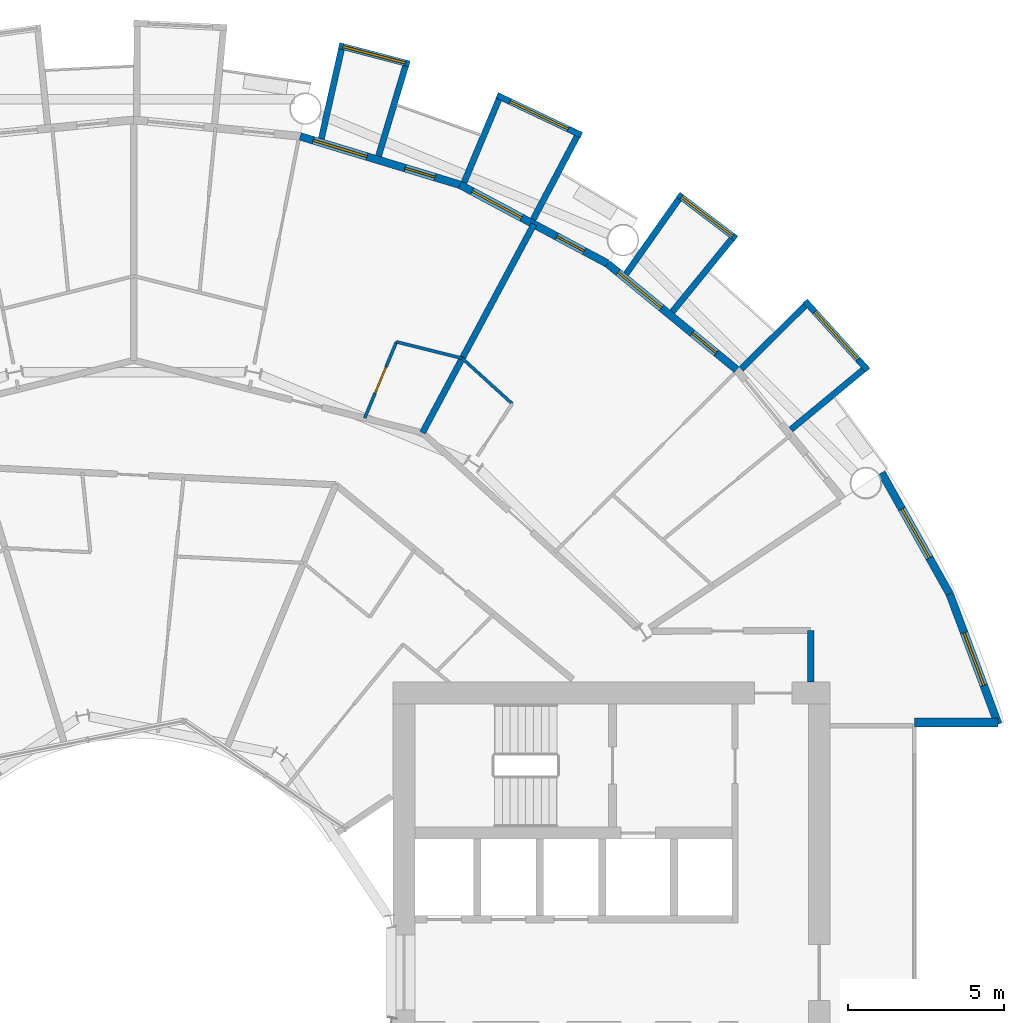
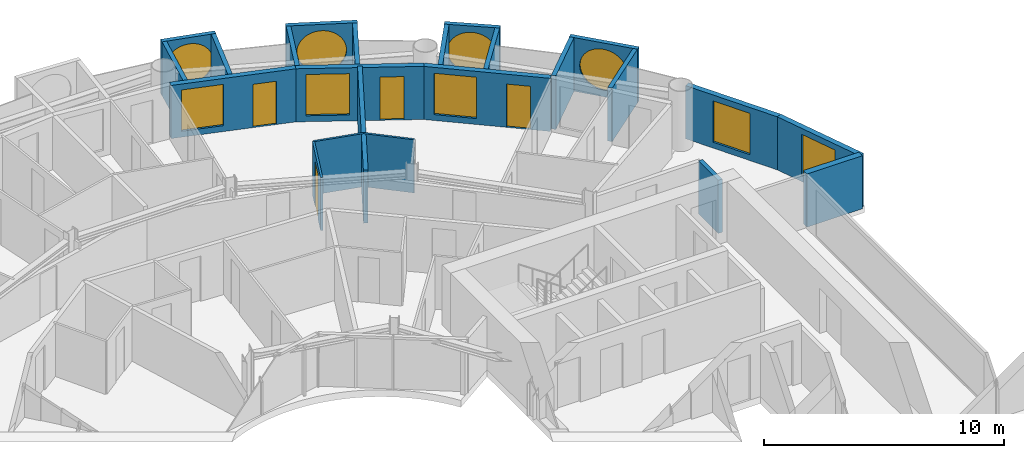
# One storey, part 22 of 26: 23 walls, 9 windows, 4 doors, 13 openings.
"""IFC4 building model written with IfcOpenShell, lengths in metres."""

import ifcopenshell
import ifcopenshell.guid

model = None  # the IFC model being written
_history = None  # IfcOwnerHistory: only IFC2X3 demands one
_inside = {}  # id of a spatial element -> (the spatial element, [elements in it])
_under = {}  # id of a project, library or spatial element -> (it, [spatial elements below it])
_declared = {}  # id of a project -> (the project, [libraries it declares])
_typed = {}  # id of a type object -> (the type object, [elements of that type])
_made_of = {}  # id of a material, layer set ... -> (it, [elements and type objects made of it])


def new_model(schema):
    """Start an empty IFC model of exactly this schema.

    Asked for "IFC4X3", IfcOpenShell would pick the latest addendum, in which some entities
    have other attributes; the version numbers below select the first issue.
    IFC2X3 requires an IfcOwnerHistory on every rooted entity: one is made here for all.
    """
    global model, _history
    if schema == "IFC4X3":
        model = ifcopenshell.file(schema_version=(4, 3, 0, 0))
    else:
        model = ifcopenshell.file(schema=schema)
    _inside.clear()
    _under.clear()
    _declared.clear()
    _typed.clear()
    _made_of.clear()
    _history = None
    if model.schema == "IFC2X3":
        org = make("IfcOrganization", Name="unknown")
        user = make(
            "IfcPersonAndOrganization",
            ThePerson=make("IfcPerson", FamilyName="unknown"),
            TheOrganization=org,
        )
        app = make(
            "IfcApplication",
            ApplicationDeveloper=org,
            Version="unknown",
            ApplicationFullName="unknown",
            ApplicationIdentifier="unknown",
        )
        _history = make(
            "IfcOwnerHistory",
            OwningUser=user,
            OwningApplication=app,
            ChangeAction="ADDED",
            CreationDate=0,
        )
    return model


def make(cls, **values):
    """One entity of the class cls with the attributes given. An attribute that is None is left unset."""
    return model.create_entity(
        cls, **{name: value for name, value in values.items() if value is not None}
    )


def rooted(cls, **values):
    """An entity with a GlobalId (a new one), such as an element, a storey or a relation."""
    return make(cls, GlobalId=ifcopenshell.guid.new(), OwnerHistory=_history, **values)


def si_unit(unit_type, name, prefix=None):
    """IfcSIUnit, for example si_unit("LENGTHUNIT", "METRE", prefix="MILLI")."""
    return make("IfcSIUnit", UnitType=unit_type, Prefix=prefix, Name=name)


def assignment(units):
    """IfcUnitAssignment: the units of a project."""
    return None if units is None else make("IfcUnitAssignment", Units=units)


def point(xyz):
    """IfcCartesianPoint."""
    return None if xyz is None else make("IfcCartesianPoint", Coordinates=xyz)


def direction(xyz):
    """IfcDirection."""
    return None if xyz is None else make("IfcDirection", DirectionRatios=xyz)


def frame(location, z_axis=None, x_axis=None):
    """IfcAxis2Placement3D, a coordinate frame: its origin and axes. An axis left out is left unset."""
    return make(
        "IfcAxis2Placement3D",
        Location=point(location),
        Axis=direction(z_axis),
        RefDirection=direction(x_axis),
    )


def frame_2d(location, x_axis=None):
    """IfcAxis2Placement2D, a coordinate frame in the plane: its origin and x axis."""
    return make(
        "IfcAxis2Placement2D", Location=point(location), RefDirection=direction(x_axis)
    )


def origin():
    """The frame at (0, 0, 0) with its axes left unset."""
    return frame((0.0, 0.0, 0.0))


def place(relative_to, where):
    """IfcLocalPlacement: puts the frame where relative to a parent placement (None: the world)."""
    return make(
        "IfcLocalPlacement", PlacementRelTo=relative_to, RelativePlacement=where
    )


def context(
    kind, dimensions, precision=None, world=None, true_north=None, identifier=None
):
    """IfcGeometricRepresentationContext, for example the 3D "Model" context."""
    return make(
        "IfcGeometricRepresentationContext",
        ContextIdentifier=identifier,
        ContextType=kind,
        CoordinateSpaceDimension=dimensions,
        Precision=precision,
        WorldCoordinateSystem=world,
        TrueNorth=true_north,
    )


def subcontext(parent, identifier, kind, view, scale=None):
    """IfcGeometricRepresentationSubContext, for example "Body" below "Model"."""
    return make(
        "IfcGeometricRepresentationSubContext",
        ContextIdentifier=identifier,
        ContextType=kind,
        ParentContext=parent,
        TargetScale=scale,
        TargetView=view,
    )


def project(units=None, contexts=None):
    """IfcProject with its units and contexts."""
    return rooted(
        "IfcProject",
        Name="project",
        RepresentationContexts=contexts,
        UnitsInContext=assignment(units),
    )


def spatial(cls, under=None, at=None, **own):
    """A site, building, storey or space (cls), placed at a placement, below another one or the project."""
    s = rooted(cls, ObjectPlacement=at, **own)
    if under is not None:
        _under.setdefault(under.id(), (under, []))[1].append(s)
    return s


def profile(cls, at=None, kind="AREA", **sizes):
    """A parametric profile (cls). Its sizes go by their IFC names, for example OverallWidth=200.0."""
    return make(cls, ProfileType=kind, Position=at, **sizes)


def rectangle(**sizes):
    """IfcRectangleProfileDef."""
    return profile("IfcRectangleProfileDef", **sizes)


def circle(**sizes):
    """IfcCircleProfileDef."""
    return profile("IfcCircleProfileDef", **sizes)


def extrude(swept, where, along, depth):
    """IfcExtrudedAreaSolid: the profile swept, set in the frame where, extruded along a direction by depth."""
    return make(
        "IfcExtrudedAreaSolid",
        SweptArea=swept,
        Position=where,
        ExtrudedDirection=direction(along),
        Depth=depth,
    )


def shape(context_of_items, identifier, shape_type, items):
    """IfcShapeRepresentation: the items that make up one representation, for example the "Body"."""
    return make(
        "IfcShapeRepresentation",
        ContextOfItems=context_of_items,
        RepresentationIdentifier=identifier,
        RepresentationType=shape_type,
        Items=items,
    )


def material(Name=None, Category=None):
    """IfcMaterial."""
    return make("IfcMaterial", Name=Name, Category=Category)


def layer(
    of_material, thickness, ventilated=None, Name=None, Category=None, Priority=None
):
    """IfcMaterialLayer: one layer of a wall or slab, of a material (None: an air gap)."""
    return make(
        "IfcMaterialLayer",
        Material=of_material,
        LayerThickness=thickness,
        IsVentilated=ventilated,
        Name=Name,
        Category=Category,
        Priority=Priority,
    )


def layer_set(layers, Name=None):
    """IfcMaterialLayerSet."""
    return make("IfcMaterialLayerSet", MaterialLayers=layers, LayerSetName=Name)


def made_of(thing, what):
    """Note that an element or type object is made of a material, layer set ...; save() writes the relation."""
    if what is not None:
        _made_of.setdefault(what.id(), (what, []))[1].append(thing)
    return thing


def type_object(cls, material=None, **own):
    """A type object (cls), such as IfcWallType, which elements share."""
    return made_of(rooted(cls, **own), material)


def element(
    cls,
    number,
    at=None,
    inside=None,
    cuts=None,
    type_object=None,
    material=None,
    context=None,
    identifier="Body",
    shape_type=None,
    held_by="IfcProductDefinitionShape",
    body=None,
    shapes=None,
    **own,
):
    """One element of the class cls, such as IfcWall. Its Tag is "e" and its number.

    at: its placement. inside: the storey or other place that contains it. cuts: it is an
    opening in that element (IfcRelVoidsElement). A single representation is given by context,
    identifier, shape_type and body (its items); several are given by shapes. held_by: the class
    of the entity that holds the representations. save() writes the other relations.
    """
    e = rooted(cls, Tag="e%d" % number, ObjectPlacement=at, **own)
    if body is not None:
        shapes = [shape(context, identifier, shape_type, body)]
    if shapes is not None:
        e.Representation = make(held_by, Representations=shapes)
    if inside is not None:
        _inside.setdefault(inside.id(), (inside, []))[1].append(e)
    if cuts is not None:
        rooted(
            "IfcRelVoidsElement", RelatingBuildingElement=cuts, RelatedOpeningElement=e
        )
    if type_object is not None:
        _typed.setdefault(type_object.id(), (type_object, []))[1].append(e)
    return made_of(e, material)


def fill(opening, filler):
    """IfcRelFillsElement: the door or window that sits in an opening."""
    return rooted(
        "IfcRelFillsElement",
        RelatingOpeningElement=opening,
        RelatedBuildingElement=filler,
    )


def aggregate(whole, parts):
    """IfcRelAggregates: a whole, such as a stair, and the parts it consists of."""
    return rooted("IfcRelAggregates", RelatingObject=whole, RelatedObjects=parts)


def save(model, path):
    """Write the relations noted so far, then the file.

    IfcRelAggregates (storeys below a building ...), IfcRelContainedInSpatialStructure (elements
    in a storey), IfcRelDefinesByType, IfcRelAssociatesMaterial and IfcRelDeclares: one each for
    every whole, place, type object, material and project.
    """
    for whole, parts in _under.values():
        aggregate(whole, parts)
    for where, things in _inside.values():
        rooted(
            "IfcRelContainedInSpatialStructure",
            RelatedElements=things,
            RelatingStructure=where,
        )
    for kind, things in _typed.values():
        rooted("IfcRelDefinesByType", RelatedObjects=things, RelatingType=kind)
    for what, things in _made_of.values():
        rooted("IfcRelAssociatesMaterial", RelatedObjects=things, RelatingMaterial=what)
    for by, libraries in _declared.values():
        rooted("IfcRelDeclares", RelatingContext=by, RelatedDefinitions=libraries)
    model.write(path)


model = new_model("IFC4")

# Units and contexts
model_context = context("Model", 3, precision=1e-05, world=origin(), true_north=direction((0.0, 1.0)))
body_context = subcontext(model_context, "Body", "Model", "MODEL_VIEW")
ifc_project = project(units=[si_unit("LENGTHUNIT", "METRE"), si_unit("AREAUNIT", "SQUARE_METRE"), si_unit("VOLUMEUNIT", "CUBIC_METRE"), si_unit("PLANEANGLEUNIT", "RADIAN"), si_unit("MASSUNIT", "GRAM", prefix="KILO")], contexts=[model_context])

# Site, building, storey
site_placement = place(None, origin())
site = spatial("IfcSite", under=ifc_project, at=site_placement, CompositionType="ELEMENT")
building_placement = place(site_placement, origin())
building = spatial("IfcBuilding", under=site, at=building_placement, Name="Maasbend Ring Residences", CompositionType="ELEMENT")
storey_placement = place(building_placement, frame((0.0, 0.0, 84.949951171875)))
storey = spatial("IfcBuildingStorey", under=building, at=storey_placement, Name="L24", CompositionType="ELEMENT", Elevation=84.949951171875)

# Wall
ifc_material_1 = material(Name="Concrete C30/37", Category="concrete")
ifc_layer_1 = layer(ifc_material_1, 0.199951171875)
ifc_layer_set_1 = layer_set([ifc_layer_1], Name="Concrete C30/37")
wall_type_1 = type_object("IfcWallType", Name="CORRIDOR WALL 200 CONCRETE", PredefinedType="PARTITIONING", material=ifc_layer_set_1)
wall_1_placement = place(storey_placement, frame((21.675048828125, 9.300048828125, 0.0), z_axis=(0.0, 0.0, 1.0), x_axis=(0.0, 1.0, 0.0)))
element("IfcWall", 1, at=wall_1_placement, inside=storey, type_object=wall_type_1, Name="U-L24-w002", PredefinedType="PARTITIONING", context=body_context, shape_type="SweptSolid", body=[
    extrude(rectangle(XDim=1.64990234375, YDim=0.199951171875, at=frame_2d((0.824951171875, 0.0))), origin(), (0.0, 0.0, 1.0), 2.699951171875),
])

# Wall, opening, window
ifc_material_2 = material(Name="Pale anodised aluminium panel", Category="aluminium")
ifc_layer_2 = layer(ifc_material_2, 0.199951171875)
ifc_layer_set_2 = layer_set([ifc_layer_2], Name="EW-BOX")
wall_type_2 = type_object("IfcWallType", Name="EW-BOX", PredefinedType="SOLIDWALL", material=ifc_layer_set_2)
wall_2_placement = place(storey_placement, frame((23.5029296875, 19.281982421875, -0.030029296875), z_axis=(0.0, 0.0, 1.0), x_axis=(-0.671506829416, 0.740998365753, 0.0)))
wall_2 = element("IfcWall", 2, at=wall_2_placement, inside=storey, type_object=wall_type_2, Name="Box front N02", PredefinedType="SOLIDWALL", context=body_context, shape_type="SweptSolid", body=[
    extrude(rectangle(XDim=2.9931640625, YDim=0.199951171875, at=frame_2d((1.49658203125, 0.0))), origin(), (0.0, 0.0, 1.0), 2.72998046875),
])
opening_1_placement = place(wall_2_placement, frame((0.45654296875, 0.0, 0.330078125)))
opening_1 = element("IfcOpeningElement", 3, at=opening_1_placement, cuts=wall_2, Name="Opening W-RD", PredefinedType="OPENING", context=body_context, shape_type="SweptSolid", body=[
    extrude(circle(Radius=1.0400390625, at=frame_2d((1.0400390625, 1.0400390625))), frame((0.0, 0.10986328125, 0.0), z_axis=(0.0, -1.0, 0.0), x_axis=(1.0, 0.0, 0.0)), (0.0, 0.0, 1.0), 0.219970703125),
])
ifc_material_3 = material(Name="Aluminium and clear glass", Category="aluminium")
window_type_1 = type_object("IfcWindowType", Name="W-RD", PartitioningType="SINGLE_PANEL", PredefinedType="WINDOW", material=ifc_material_3)
window_1_placement = place(opening_1_placement, origin())
window_1 = element("IfcWindow", 4, at=window_1_placement, inside=storey, type_object=window_type_1, Name="Round window N02", OverallHeight=2.080078125, OverallWidth=2.080078125, PartitioningType="SINGLE_PANEL", PredefinedType="WINDOW", context=body_context, shape_type="SweptSolid", body=[
    extrude(circle(Radius=1.0400390625, at=frame_2d((1.0400390625, 1.0400390625))), frame((0.0, 0.030029296875, 0.0), z_axis=(0.0, -1.0, 0.0), x_axis=(1.0, 0.0, 0.0)), (0.0, 0.0, 1.0), 0.06005859375),
])
fill(opening_1, window_1)

# Walls
wall_3_placement = place(storey_placement, frame((21.041015625, 17.384033203125, -0.030029296875), z_axis=(0.0, 0.0, 1.0), x_axis=(0.770784861449, 0.63709551667, 0.0)))
element("IfcWall", 5, at=wall_3_placement, inside=storey, type_object=wall_type_2, Name="Box side wall N02 left", PredefinedType="SOLIDWALL", context=body_context, shape_type="SweptSolid", body=[
    extrude(rectangle(XDim=3.005859375, YDim=0.199951171875, at=frame_2d((1.5029296875, 0.0))), origin(), (0.0, 0.0, 1.0), 2.72998046875),
])
wall_4_placement = place(storey_placement, frame((19.449951171875, 19.322998046875, -0.030029296875), z_axis=(0.0, 0.0, 1.0), x_axis=(0.709727076896, 0.704476739375, 0.0)))
element("IfcWall", 6, at=wall_4_placement, inside=storey, type_object=wall_type_2, Name="Box side wall N02 right", PredefinedType="SOLIDWALL", context=body_context, shape_type="SweptSolid", body=[
    extrude(rectangle(XDim=2.883056640625, YDim=0.199951171875, at=frame_2d((1.44140625, 0.0))), origin(), (0.0, 0.0, 1.0), 2.72998046875),
])

# Wall, opening, window
wall_5_placement = place(storey_placement, frame((19.2890625, 23.4970703125, -0.030029296875), z_axis=(0.0, 0.0, 1.0), x_axis=(-0.796842165306, 0.60418752353, 0.0)))
wall_5 = element("IfcWall", 7, at=wall_5_placement, inside=storey, type_object=wall_type_2, Name="Box front N04", PredefinedType="SOLIDWALL", context=body_context, shape_type="SweptSolid", body=[
    extrude(rectangle(XDim=2.3369140625, YDim=0.199951171875, at=frame_2d((1.16845703125, 0.0))), origin(), (0.0, 0.0, 1.0), 2.72998046875),
])
opening_2_placement = place(wall_5_placement, frame((0.128173828125, 0.0, 0.330078125)))
opening_2 = element("IfcOpeningElement", 8, at=opening_2_placement, cuts=wall_5, Name="Opening W-RD", PredefinedType="OPENING", context=body_context, shape_type="SweptSolid", body=[
    extrude(circle(Radius=1.0400390625, at=frame_2d((1.0400390625, 1.0400390625))), frame((0.0, 0.10986328125, 0.0), z_axis=(0.0, -1.0, 0.0), x_axis=(1.0, 0.0, 0.0)), (0.0, 0.0, 1.0), 0.219970703125),
])
window_2_placement = place(opening_2_placement, origin())
window_2 = element("IfcWindow", 9, at=window_2_placement, inside=storey, type_object=window_type_1, Name="Round window N04", OverallHeight=2.080078125, OverallWidth=2.080078125, PartitioningType="SINGLE_PANEL", PredefinedType="WINDOW", context=body_context, shape_type="SweptSolid", body=[
    extrude(circle(Radius=1.0400390625, at=frame_2d((1.0400390625, 1.0400390625))), frame((0.0, 0.030029296875, 0.0), z_axis=(0.0, -1.0, 0.0), x_axis=(1.0, 0.0, 0.0)), (0.0, 0.0, 1.0), 0.06005859375),
])
fill(opening_2, window_2)

# Walls
wall_6_placement = place(storey_placement, frame((17.24609375, 21.155029296875, -0.030029296875), z_axis=(0.0, 0.0, 1.0), x_axis=(0.631741648902, 0.775179004516, 0.0)))
element("IfcWall", 10, at=wall_6_placement, inside=storey, type_object=wall_type_2, Name="Box side wall N04 left", PredefinedType="SOLIDWALL", context=body_context, shape_type="SweptSolid", body=[
    extrude(rectangle(XDim=3.005859375, YDim=0.199951171875, at=frame_2d((1.5029296875, 0.0))), origin(), (0.0, 0.0, 1.0), 2.72998046875),
])
wall_7_placement = place(storey_placement, frame((15.764892578125, 22.3701171875, -0.030029296875), z_axis=(0.0, 0.0, 1.0), x_axis=(0.576274612209, 0.817256123454, 0.0)))
element("IfcWall", 11, at=wall_7_placement, inside=storey, type_object=wall_type_2, Name="Box side wall N04 right", PredefinedType="SOLIDWALL", context=body_context, shape_type="SweptSolid", body=[
    extrude(rectangle(XDim=2.932861328125, YDim=0.199951171875, at=frame_2d((1.46630859375, 0.0))), origin(), (0.0, 0.0, 1.0), 2.72998046875),
])

# Wall, opening, window
wall_8_placement = place(storey_placement, frame((14.3349609375, 26.80810546875, -0.030029296875), z_axis=(0.0, 0.0, 1.0), x_axis=(-0.904000060331, 0.427532327342, 0.0)))
wall_8 = element("IfcWall", 12, at=wall_8_placement, inside=storey, type_object=wall_type_2, Name="Box front N06", PredefinedType="SOLIDWALL", context=body_context, shape_type="SweptSolid", body=[
    extrude(rectangle(XDim=2.993408203125, YDim=0.199951171875, at=frame_2d((1.49658203125, 0.0))), origin(), (0.0, 0.0, 1.0), 2.72998046875),
])
opening_3_placement = place(wall_8_placement, frame((0.45654296875, 0.0, 0.330078125)))
opening_3 = element("IfcOpeningElement", 13, at=opening_3_placement, cuts=wall_8, Name="Opening W-RD", PredefinedType="OPENING", context=body_context, shape_type="SweptSolid", body=[
    extrude(circle(Radius=1.0400390625, at=frame_2d((1.0400390625, 1.0400390625))), frame((0.0, 0.10986328125, 0.0), z_axis=(0.0, -1.0, 0.0), x_axis=(1.0, 0.0, 0.0)), (0.0, 0.0, 1.0), 0.219970703125),
])
window_3_placement = place(opening_3_placement, origin())
window_3 = element("IfcWindow", 14, at=window_3_placement, inside=storey, type_object=window_type_1, Name="Round window N06", OverallHeight=2.080078125, OverallWidth=2.080078125, PartitioningType="SINGLE_PANEL", PredefinedType="WINDOW", context=body_context, shape_type="SweptSolid", body=[
    extrude(circle(Radius=1.0400390625, at=frame_2d((1.0400390625, 1.0400390625))), frame((0.0, 0.030029296875, 0.0), z_axis=(0.0, -1.0, 0.0), x_axis=(1.0, 0.0, 0.0)), (0.0, 0.0, 1.0), 0.06005859375),
])
fill(opening_3, window_3)

# Walls
wall_9_placement = place(storey_placement, frame((12.787109375, 24.113037109375, -0.030029296875), z_axis=(0.0, 0.0, 1.0), x_axis=(0.468365282436, 0.883534924159, 0.0)))
element("IfcWall", 15, at=wall_9_placement, inside=storey, type_object=wall_type_2, Name="Box side wall N06 left", PredefinedType="SOLIDWALL", context=body_context, shape_type="SweptSolid", body=[
    extrude(rectangle(XDim=3.006103515625, YDim=0.199951171875, at=frame_2d((1.5029296875, 0.0))), origin(), (0.0, 0.0, 1.0), 2.72998046875),
])
wall_10_placement = place(storey_placement, frame((10.574951171875, 25.294921875, -0.030029296875), z_axis=(0.0, 0.0, 1.0), x_axis=(0.385697364644, 0.922625353492, 0.0)))
element("IfcWall", 16, at=wall_10_placement, inside=storey, type_object=wall_type_2, Name="Box side wall N06 right", PredefinedType="SOLIDWALL", context=body_context, shape_type="SweptSolid", body=[
    extrude(rectangle(XDim=2.88330078125, YDim=0.199951171875, at=frame_2d((1.441650390625, 0.0))), origin(), (0.0, 0.0, 1.0), 2.72998046875),
])

# Wall, opening, window
wall_11_placement = place(storey_placement, frame((8.827880859375, 29.090087890625, -0.030029296875), z_axis=(0.0, 0.0, 1.0), x_axis=(-0.967377102346, 0.253340762326, 0.0)))
wall_11 = element("IfcWall", 17, at=wall_11_placement, inside=storey, type_object=wall_type_2, Name="Box front N08", PredefinedType="SOLIDWALL", context=body_context, shape_type="SweptSolid", body=[
    extrude(rectangle(XDim=2.3359375, YDim=0.199951171875, at=frame_2d((1.16796875, 0.0))), origin(), (0.0, 0.0, 1.0), 2.72998046875),
])
opening_4_placement = place(wall_11_placement, frame((0.128173828125, 0.0, 0.330078125)))
opening_4 = element("IfcOpeningElement", 18, at=opening_4_placement, cuts=wall_11, Name="Opening W-RD", PredefinedType="OPENING", context=body_context, shape_type="SweptSolid", body=[
    extrude(circle(Radius=1.0400390625, at=frame_2d((1.0400390625, 1.0400390625))), frame((0.0, 0.10986328125, 0.0), z_axis=(0.0, -1.0, 0.0), x_axis=(1.0, 0.0, 0.0)), (0.0, 0.0, 1.0), 0.219970703125),
])
window_4_placement = place(opening_4_placement, origin())
window_4 = element("IfcWindow", 19, at=window_4_placement, inside=storey, type_object=window_type_1, Name="Round window N08", OverallHeight=2.080078125, OverallWidth=2.080078125, PartitioningType="SINGLE_PANEL", PredefinedType="WINDOW", context=body_context, shape_type="SweptSolid", body=[
    extrude(circle(Radius=1.0400390625, at=frame_2d((1.0400390625, 1.0400390625))), frame((0.0, 0.030029296875, 0.0), z_axis=(0.0, -1.0, 0.0), x_axis=(1.0, 0.0, 0.0)), (0.0, 0.0, 1.0), 0.06005859375),
])
fill(opening_4, window_4)

# Walls
wall_12_placement = place(storey_placement, frame((7.8369140625, 26.14404296875, -0.030029296875), z_axis=(0.0, 0.0, 1.0), x_axis=(0.287064767992, 0.957911174889, 0.0)))
element("IfcWall", 20, at=wall_12_placement, inside=storey, type_object=wall_type_2, Name="Box side wall N08 left", PredefinedType="SOLIDWALL", context=body_context, shape_type="SweptSolid", body=[
    extrude(rectangle(XDim=3.00634765625, YDim=0.199951171875, at=frame_2d((1.503173828125, 0.0))), origin(), (0.0, 0.0, 1.0), 2.72998046875),
])
wall_13_placement = place(storey_placement, frame((6.00390625, 26.699951171875, -0.030029296875), z_axis=(0.0, 0.0, 1.0), x_axis=(0.219609259383, 0.975587911566, 0.0)))
element("IfcWall", 21, at=wall_13_placement, inside=storey, type_object=wall_type_2, Name="Box side wall N08 right", PredefinedType="SOLIDWALL", context=body_context, shape_type="SweptSolid", body=[
    extrude(rectangle(XDim=2.9326171875, YDim=0.199951171875, at=frame_2d((1.46630859375, 0.0))), origin(), (0.0, 0.0, 1.0), 2.72998046875),
])

# Wall, openings, door, window
ifc_material_4 = material(Name="Aluminium clad insulated panel", Category="aluminium")
ifc_layer_3 = layer(ifc_material_4, 0.25)
ifc_layer_set_3 = layer_set([ifc_layer_3], Name="EW-GL")
wall_type_3 = type_object("IfcWallType", Name="EW-GL", PredefinedType="SOLIDWALL", material=ifc_layer_set_3)
wall_14_placement = place(storey_placement, frame((19.303955078125, 19.303955078125, 0.0), z_axis=(0.0, 0.0, 1.0), x_axis=(-0.773019449054, 0.634382322723, 0.0)))
wall_14 = element("IfcWall", 22, at=wall_14_placement, inside=storey, type_object=wall_type_3, Name="External wall N02", PredefinedType="SOLIDWALL", context=body_context, shape_type="SweptSolid", body=[
    extrude(rectangle(XDim=5.351806640625, YDim=0.25, at=frame_2d((2.67578125, 0.0))), origin(), (0.0, 0.0, 1.0), 2.699951171875),
])
opening_5_placement = place(wall_14_placement, frame((0.841064453125, 0.0, 0.0)))
opening_5 = element("IfcOpeningElement", 23, at=opening_5_placement, cuts=wall_14, Name="Opening D-LG", PredefinedType="OPENING", context=body_context, shape_type="SweptSolid", body=[
    extrude(rectangle(XDim=1.0, YDim=2.199951171875, at=frame_2d((0.5, 1.10009765625))), frame((0.0, 0.135009765625, 0.0), z_axis=(0.0, -1.0, 0.0), x_axis=(1.0, 0.0, 0.0)), (0.0, 0.0, 1.0), 0.27001953125),
])
opening_6_placement = place(wall_14_placement, frame((3.110595703125, 0.0, 0.300048828125)))
opening_6 = element("IfcOpeningElement", 24, at=opening_6_placement, cuts=wall_14, Name="Opening W-BX", PredefinedType="OPENING", context=body_context, shape_type="SweptSolid", body=[
    extrude(rectangle(XDim=1.800048828125, YDim=2.10009765625, at=frame_2d((0.89990234375, 1.050048828125))), frame((0.0, 0.135009765625, 0.0), z_axis=(0.0, -1.0, 0.0), x_axis=(1.0, 0.0, 0.0)), (0.0, 0.0, 1.0), 0.27001953125),
])
ifc_material_5 = material(Name="Aluminium and clear glass", Category="aluminium")
door_type_1 = type_object("IfcDoorType", Name="D-LG", OperationType="SINGLE_SWING_LEFT", PredefinedType="DOOR", material=ifc_material_5)
door_1_placement = place(opening_5_placement, origin())
door_1 = element("IfcDoor", 25, at=door_1_placement, inside=storey, type_object=door_type_1, Name="Loggia door N03", OperationType="SINGLE_SWING_LEFT", OverallHeight=2.199951171875, OverallWidth=1.0, PredefinedType="DOOR", context=body_context, shape_type="SweptSolid", body=[
    extrude(rectangle(XDim=1.0, YDim=2.199951171875, at=frame_2d((0.5, 1.10009765625))), frame((0.0, 0.02490234375, 0.0), z_axis=(0.0, -1.0, 0.0), x_axis=(1.0, 0.0, 0.0)), (0.0, 0.0, 1.0), 0.050048828125),
])
fill(opening_5, door_1)
ifc_material_6 = material(Name="Aluminium and clear glass", Category="aluminium")
window_type_2 = type_object("IfcWindowType", Name="W-BX", PartitioningType="DOUBLE_PANEL_VERTICAL", PredefinedType="WINDOW", material=ifc_material_6)
window_5_placement = place(opening_6_placement, origin())
window_5 = element("IfcWindow", 26, at=window_5_placement, inside=storey, type_object=window_type_2, Name="Window N04 room to box", OverallHeight=2.10009765625, OverallWidth=1.800048828125, PartitioningType="SINGLE_PANEL", PredefinedType="WINDOW", context=body_context, shape_type="SweptSolid", body=[
    extrude(rectangle(XDim=1.800048828125, YDim=2.10009765625, at=frame_2d((0.89990234375, 1.050048828125))), frame((0.0, 0.030029296875, 0.0), z_axis=(0.0, -1.0, 0.0), x_axis=(1.0, 0.0, 0.0)), (0.0, 0.0, 1.0), 0.06005859375),
])
fill(opening_6, window_5)

wall_15_placement = place(storey_placement, frame((15.1669921875, 22.698974609375, 0.0), z_axis=(0.0, 0.0, 1.0), x_axis=(-0.881915646801, 0.471407246368, 0.0)))
wall_15 = element("IfcWall", 27, at=wall_15_placement, inside=storey, type_object=wall_type_3, Name="External wall N03", PredefinedType="SOLIDWALL", context=body_context, shape_type="SweptSolid", body=[
    extrude(rectangle(XDim=5.35205078125, YDim=0.25, at=frame_2d((2.676025390625, 0.0))), origin(), (0.0, 0.0, 1.0), 2.699951171875),
])
opening_7_placement = place(wall_15_placement, frame((0.841064453125, 0.0, 0.0)))
opening_7 = element("IfcOpeningElement", 28, at=opening_7_placement, cuts=wall_15, Name="Opening D-LG", PredefinedType="OPENING", context=body_context, shape_type="SweptSolid", body=[
    extrude(rectangle(XDim=1.0, YDim=2.199951171875, at=frame_2d((0.5, 1.10009765625))), frame((0.0, 0.135009765625, 0.0), z_axis=(0.0, -1.0, 0.0), x_axis=(1.0, 0.0, 0.0)), (0.0, 0.0, 1.0), 0.27001953125),
])
opening_8_placement = place(wall_15_placement, frame((3.110595703125, 0.0, 0.300048828125)))
opening_8 = element("IfcOpeningElement", 29, at=opening_8_placement, cuts=wall_15, Name="Opening W-BX", PredefinedType="OPENING", context=body_context, shape_type="SweptSolid", body=[
    extrude(rectangle(XDim=1.800048828125, YDim=2.10009765625, at=frame_2d((0.89990234375, 1.050048828125))), frame((0.0, 0.135009765625, 0.0), z_axis=(0.0, -1.0, 0.0), x_axis=(1.0, 0.0, 0.0)), (0.0, 0.0, 1.0), 0.27001953125),
])
door_2_placement = place(opening_7_placement, origin())
door_2 = element("IfcDoor", 30, at=door_2_placement, inside=storey, type_object=door_type_1, Name="Loggia door N05", OperationType="SINGLE_SWING_LEFT", OverallHeight=2.199951171875, OverallWidth=1.0, PredefinedType="DOOR", context=body_context, shape_type="SweptSolid", body=[
    extrude(rectangle(XDim=1.0, YDim=2.199951171875, at=frame_2d((0.5, 1.10009765625))), frame((0.0, 0.02490234375, 0.0), z_axis=(0.0, -1.0, 0.0), x_axis=(1.0, 0.0, 0.0)), (0.0, 0.0, 1.0), 0.050048828125),
])
fill(opening_7, door_2)
window_6_placement = place(opening_8_placement, origin())
window_6 = element("IfcWindow", 31, at=window_6_placement, inside=storey, type_object=window_type_2, Name="Window N06 room to box", OverallHeight=2.10009765625, OverallWidth=1.800048828125, PartitioningType="SINGLE_PANEL", PredefinedType="WINDOW", context=body_context, shape_type="SweptSolid", body=[
    extrude(rectangle(XDim=1.800048828125, YDim=2.10009765625, at=frame_2d((0.89990234375, 1.050048828125))), frame((0.0, 0.030029296875, 0.0), z_axis=(0.0, -1.0, 0.0), x_axis=(1.0, 0.0, 0.0)), (0.0, 0.0, 1.0), 0.06005859375),
])
fill(opening_8, window_6)

wall_16_placement = place(storey_placement, frame((10.447021484375, 25.221923828125, 0.0), z_axis=(0.0, 0.0, 1.0), x_axis=(-0.956965678721, 0.290201119486, 0.0)))
wall_16 = element("IfcWall", 32, at=wall_16_placement, inside=storey, type_object=wall_type_3, Name="External wall N04", PredefinedType="SOLIDWALL", context=body_context, shape_type="SweptSolid", body=[
    extrude(rectangle(XDim=5.351318359375, YDim=0.25, at=frame_2d((2.67578125, 0.0))), origin(), (0.0, 0.0, 1.0), 2.699951171875),
])
opening_9_placement = place(wall_16_placement, frame((0.841064453125, 0.0, 0.0)))
opening_9 = element("IfcOpeningElement", 33, at=opening_9_placement, cuts=wall_16, Name="Opening D-LG", PredefinedType="OPENING", context=body_context, shape_type="SweptSolid", body=[
    extrude(rectangle(XDim=1.0, YDim=2.199951171875, at=frame_2d((0.5, 1.10009765625))), frame((0.0, 0.135009765625, 0.0), z_axis=(0.0, -1.0, 0.0), x_axis=(1.0, 0.0, 0.0)), (0.0, 0.0, 1.0), 0.27001953125),
])
opening_10_placement = place(wall_16_placement, frame((3.110595703125, 0.0, 0.300048828125)))
opening_10 = element("IfcOpeningElement", 34, at=opening_10_placement, cuts=wall_16, Name="Opening W-BX", PredefinedType="OPENING", context=body_context, shape_type="SweptSolid", body=[
    extrude(rectangle(XDim=1.800048828125, YDim=2.10009765625, at=frame_2d((0.89990234375, 1.050048828125))), frame((0.0, 0.135009765625, 0.0), z_axis=(0.0, -1.0, 0.0), x_axis=(1.0, 0.0, 0.0)), (0.0, 0.0, 1.0), 0.27001953125),
])
door_3_placement = place(opening_9_placement, origin())
door_3 = element("IfcDoor", 35, at=door_3_placement, inside=storey, type_object=door_type_1, Name="Loggia door N07", OperationType="SINGLE_SWING_LEFT", OverallHeight=2.199951171875, OverallWidth=1.0, PredefinedType="DOOR", context=body_context, shape_type="SweptSolid", body=[
    extrude(rectangle(XDim=1.0, YDim=2.199951171875, at=frame_2d((0.5, 1.10009765625))), frame((0.0, 0.02490234375, 0.0), z_axis=(0.0, -1.0, 0.0), x_axis=(1.0, 0.0, 0.0)), (0.0, 0.0, 1.0), 0.050048828125),
])
fill(opening_9, door_3)
window_7_placement = place(opening_10_placement, origin())
window_7 = element("IfcWindow", 36, at=window_7_placement, inside=storey, type_object=window_type_2, Name="Window N08 room to box", OverallHeight=2.10009765625, OverallWidth=1.800048828125, PartitioningType="SINGLE_PANEL", PredefinedType="WINDOW", context=body_context, shape_type="SweptSolid", body=[
    extrude(rectangle(XDim=1.800048828125, YDim=2.10009765625, at=frame_2d((0.89990234375, 1.050048828125))), frame((0.0, 0.030029296875, 0.0), z_axis=(0.0, -1.0, 0.0), x_axis=(1.0, 0.0, 0.0)), (0.0, 0.0, 1.0), 0.06005859375),
])
fill(opening_10, window_7)

# Wall, opening, window
ifc_material_7 = material(Name="Aluminium clad insulated panel", Category="aluminium")
ifc_layer_4 = layer(ifc_material_7, 0.25)
ifc_layer_set_4 = layer_set([ifc_layer_4], Name="EW-HORN")
wall_type_4 = type_object("IfcWallType", Name="EW-HORN", PredefinedType="SOLIDWALL", material=ifc_layer_set_4)
wall_17_placement = place(storey_placement, frame((27.681884765625, 7.945068359375, 0.0), z_axis=(0.0, 0.0, 1.0), x_axis=(-0.349247811493, 0.937030397675, 0.0)))
wall_17 = element("IfcWall", 37, at=wall_17_placement, inside=storey, type_object=wall_type_4, Name="Horn wall 1.1", PredefinedType="SOLIDWALL", context=body_context, shape_type="SweptSolid", body=[
    extrude(rectangle(XDim=4.4521484375, YDim=0.25, at=frame_2d((2.22607421875, 0.0))), origin(), (0.0, 0.0, 1.0), 2.699951171875),
])
opening_11_placement = place(wall_17_placement, frame((1.32666015625, 0.0, 0.300048828125)))
opening_11 = element("IfcOpeningElement", 38, at=opening_11_placement, cuts=wall_17, Name="Opening W-BX", PredefinedType="OPENING", context=body_context, shape_type="SweptSolid", body=[
    extrude(rectangle(XDim=1.800048828125, YDim=2.10009765625, at=frame_2d((0.89990234375, 1.050048828125))), frame((0.0, 0.135009765625, 0.0), z_axis=(0.0, -1.0, 0.0), x_axis=(1.0, 0.0, 0.0)), (0.0, 0.0, 1.0), 0.27001953125),
])
window_8_placement = place(opening_11_placement, origin())
window_8 = element("IfcWindow", 39, at=window_8_placement, inside=storey, type_object=window_type_2, Name="Horn window 1.1", OverallHeight=2.10009765625, OverallWidth=1.800048828125, PartitioningType="SINGLE_PANEL", PredefinedType="WINDOW", context=body_context, shape_type="SweptSolid", body=[
    extrude(rectangle(XDim=1.800048828125, YDim=2.10009765625, at=frame_2d((0.89990234375, 1.050048828125))), frame((0.0, 0.030029296875, 0.0), z_axis=(0.0, -1.0, 0.0), x_axis=(1.0, 0.0, 0.0)), (0.0, 0.0, 1.0), 0.06005859375),
])
fill(opening_11, window_8)

wall_18_placement = place(storey_placement, frame((26.126953125, 12.116943359375, 0.0), z_axis=(0.0, 0.0, 1.0), x_axis=(-0.489696356642, 0.871893042919, 0.0)))
wall_18 = element("IfcWall", 40, at=wall_18_placement, inside=storey, type_object=wall_type_4, Name="Horn wall 1.2", PredefinedType="SOLIDWALL", context=body_context, shape_type="SweptSolid", body=[
    extrude(rectangle(XDim=4.45361328125, YDim=0.25, at=frame_2d((2.226806640625, 0.0))), origin(), (0.0, 0.0, 1.0), 2.699951171875),
])
opening_12_placement = place(wall_18_placement, frame((1.32666015625, 0.0, 0.300048828125)))
opening_12 = element("IfcOpeningElement", 41, at=opening_12_placement, cuts=wall_18, Name="Opening W-BX", PredefinedType="OPENING", context=body_context, shape_type="SweptSolid", body=[
    extrude(rectangle(XDim=1.800048828125, YDim=2.10009765625, at=frame_2d((0.89990234375, 1.050048828125))), frame((0.0, 0.135009765625, 0.0), z_axis=(0.0, -1.0, 0.0), x_axis=(1.0, 0.0, 0.0)), (0.0, 0.0, 1.0), 0.27001953125),
])
window_9_placement = place(opening_12_placement, origin())
window_9 = element("IfcWindow", 42, at=window_9_placement, inside=storey, type_object=window_type_2, Name="Horn window 1.2", OverallHeight=2.10009765625, OverallWidth=1.800048828125, PartitioningType="SINGLE_PANEL", PredefinedType="WINDOW", context=body_context, shape_type="SweptSolid", body=[
    extrude(rectangle(XDim=1.800048828125, YDim=2.10009765625, at=frame_2d((0.89990234375, 1.050048828125))), frame((0.0, 0.030029296875, 0.0), z_axis=(0.0, -1.0, 0.0), x_axis=(1.0, 0.0, 0.0)), (0.0, 0.0, 1.0), 0.06005859375),
])
fill(opening_12, window_9)

# Wall
ifc_material_8 = material(Name="Aluminium clad insulated panel", Category="aluminium")
ifc_layer_5 = layer(ifc_material_8, 0.300048828125)
ifc_layer_set_5 = layer_set([ifc_layer_5], Name="EW-RET")
wall_type_5 = type_object("IfcWallType", Name="EW-RET", PredefinedType="SOLIDWALL", material=ifc_layer_set_5)
wall_19_placement = place(storey_placement, frame((25.0, 8.0, 0.0), z_axis=(0.0, 0.0, 1.0), x_axis=(1.0, 0.0, 0.0)))
element("IfcWall", 43, at=wall_19_placement, inside=storey, type_object=wall_type_5, Name="Notch return wall east north", PredefinedType="SOLIDWALL", context=body_context, shape_type="SweptSolid", body=[
    extrude(rectangle(XDim=2.6669921875, YDim=0.300048828125, at=frame_2d((1.33349609375, 0.0))), origin(), (0.0, 0.0, 1.0), 2.699951171875),
])

# Wall, opening, door
ifc_material_9 = material(Name="Gypsum board on steel studs", Category="steel")
ifc_layer_6 = layer(ifc_material_9, 0.10009765625)
ifc_layer_set_6 = layer_set([ifc_layer_6], Name="PARTITION 100 GYPSUM")
wall_type_6 = type_object("IfcWallType", Name="PARTITION 100 GYPSUM", PredefinedType="PARTITIONING", material=ifc_layer_set_6)
wall_20_placement = place(storey_placement, frame((7.39208984375, 17.7490234375, 0.0), z_axis=(0.0, 0.0, 1.0), x_axis=(0.384438589316, 0.923150567917, 0.0)))
wall_20 = element("IfcWall", 44, at=wall_20_placement, inside=storey, type_object=wall_type_6, Name="U-L24-w066", PredefinedType="PARTITIONING", context=body_context, shape_type="SweptSolid", body=[
    extrude(rectangle(XDim=2.6474609375, YDim=0.10009765625, at=frame_2d((1.32373046875, 0.0))), origin(), (0.0, 0.0, 1.0), 2.699951171875),
])
opening_13_placement = place(wall_20_placement, frame((0.8740234375, 0.0, 0.0)))
opening_13 = element("IfcOpeningElement", 45, at=opening_13_placement, cuts=wall_20, Name="Opening D-2407", PredefinedType="OPENING", context=body_context, shape_type="SweptSolid", body=[
    extrude(rectangle(XDim=0.89990234375, YDim=2.300048828125, at=frame_2d((0.449951171875, 1.14990234375))), frame((0.0, 0.06005859375, 0.0), z_axis=(0.0, -1.0, 0.0), x_axis=(1.0, 0.0, 0.0)), (0.0, 0.0, 1.0), 0.1201171875),
])
ifc_material_10 = material(Name="Timber, painted", Category="wood")
door_type_2 = type_object("IfcDoorType", Name="INTERNAL DOOR 900 X 2300", OperationType="NOTDEFINED", PredefinedType="DOOR", material=ifc_material_10)
door_4_placement = place(opening_13_placement, origin())
door_4 = element("IfcDoor", 46, at=door_4_placement, inside=storey, type_object=door_type_2, Name="D-2407", OperationType="SINGLE_SWING_RIGHT", OverallHeight=2.300048828125, OverallWidth=0.89990234375, PredefinedType="DOOR", context=body_context, shape_type="SweptSolid", body=[
    extrude(rectangle(XDim=0.89990234375, YDim=2.300048828125, at=frame_2d((0.449951171875, 1.14990234375))), frame((0.0, 0.02490234375, 0.0), z_axis=(0.0, -1.0, 0.0), x_axis=(1.0, 0.0, 0.0)), (0.0, 0.0, 1.0), 0.050048828125),
])
fill(opening_13, door_4)

# Walls
wall_21_placement = place(storey_placement, frame((8.409912109375, 20.193115234375, 0.0), z_axis=(0.0, 0.0, 1.0), x_axis=(0.970076188308, -0.242800718444, 0.0)))
element("IfcWall", 47, at=wall_21_placement, inside=storey, type_object=wall_type_6, Name="U-L24-w104", PredefinedType="PARTITIONING", context=body_context, shape_type="SweptSolid", body=[
    extrude(rectangle(XDim=2.1669921875, YDim=0.10009765625, at=frame_2d((1.08349609375, 0.0))), origin(), (0.0, 0.0, 1.0), 2.699951171875),
])
wall_22_placement = place(storey_placement, frame((10.511962890625, 19.6669921875, 0.0), z_axis=(0.0, 0.0, 1.0), x_axis=(0.740836325503, -0.671685595212, 0.0)))
element("IfcWall", 48, at=wall_22_placement, inside=storey, type_object=wall_type_6, Name="U-L24-w105", PredefinedType="PARTITIONING", context=body_context, shape_type="SweptSolid", body=[
    extrude(rectangle(XDim=2.167724609375, YDim=0.10009765625, at=frame_2d((1.083984375, 0.0))), origin(), (0.0, 0.0, 1.0), 2.699951171875),
])
ifc_material_11 = material(Name="Concrete C30/37", Category="concrete")
ifc_layer_7 = layer(ifc_material_11, 0.199951171875)
ifc_layer_set_7 = layer_set([ifc_layer_7], Name="Concrete C30/37")
wall_type_7 = type_object("IfcWallType", Name="PARTY WALL 200 CONCRETE", PredefinedType="PARTITIONING", material=ifc_layer_set_7)
wall_23_placement = place(storey_placement, frame((9.243896484375, 17.283935546875, 0.0), z_axis=(0.0, 0.0, 1.0), x_axis=(0.471506520577, 0.881862574925, 0.0)))
element("IfcWall", 49, at=wall_23_placement, inside=storey, type_object=wall_type_7, Name="U-L24-w071", PredefinedType="PARTITIONING", context=body_context, shape_type="SweptSolid", body=[
    extrude(rectangle(XDim=7.57373046875, YDim=0.199951171875, at=frame_2d((3.786865234375, 0.0))), origin(), (0.0, 0.0, 1.0), 2.699951171875),
])

save(model, "model.ifc")
